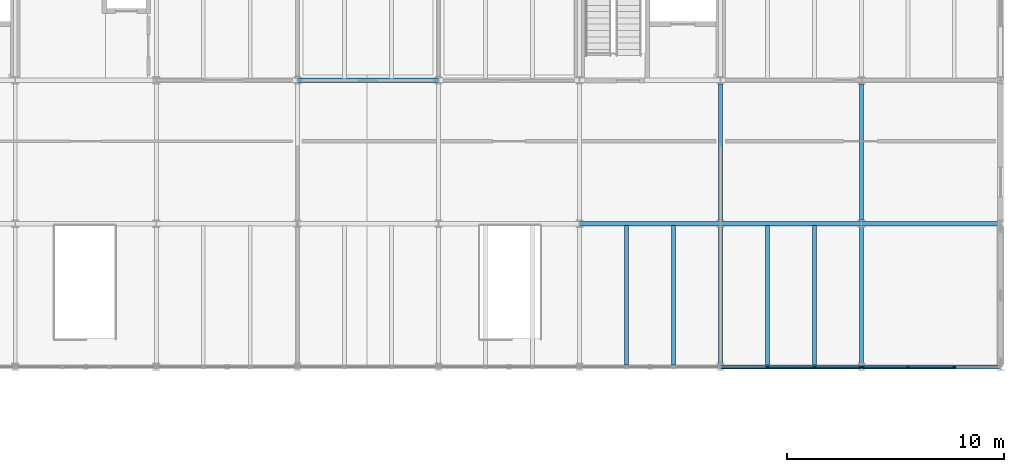
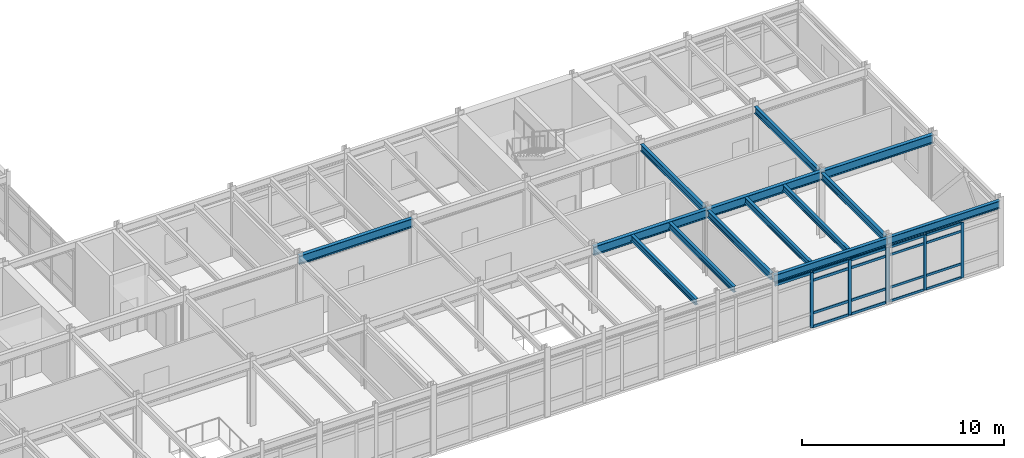
# One storey, part 81 of 144: 23 members, 14 beams, 2 elements without a shape of their own.
"""IFC4 building model written with IfcOpenShell, lengths in metres."""

from ifc_helpers import new_model, si_unit, direction, frame, origin, origin_2d, place, context, subcontext, project, spatial, rectangle, i_section, extrude, material, layer, layer_set, material_profile, profile_set, type_object, element, aggregate, save


model = new_model("IFC4")

# Units and contexts
model_context = context("Model", 3, precision=1e-05, world=origin(), true_north=direction((0.0, 1.0)))
body_context = subcontext(model_context, "Body", "Model", "MODEL_VIEW")
ifc_project = project(units=[si_unit("LENGTHUNIT", "METRE"), si_unit("AREAUNIT", "SQUARE_METRE"), si_unit("VOLUMEUNIT", "CUBIC_METRE"), si_unit("PLANEANGLEUNIT", "RADIAN"), si_unit("MASSUNIT", "GRAM", prefix="KILO")], contexts=[model_context])

# Site, building, storey
site_placement = place(None, origin())
site = spatial("IfcSite", under=ifc_project, at=site_placement, CompositionType="ELEMENT")
building_placement = place(site_placement, origin())
building = spatial("IfcBuilding", under=site, at=building_placement, Name="Trelmorton Wharf Fire Station", CompositionType="ELEMENT")
storey_placement = place(building_placement, frame((0.0, 0.0, 5.39990234375)))
storey = spatial("IfcBuildingStorey", under=building, at=storey_placement, Name="L01", CompositionType="ELEMENT", Elevation=5.39990234375)

# Beams
ifc_material_1 = material(Name="Steel Grade 350", Category="steel")
ifc_material_profile_1 = material_profile(ifc_material_1, i_section(OverallWidth=0.177978515625, OverallDepth=0.406005859375, WebThickness=0.0078125, FlangeThickness=0.0126953125, FilletRadius=0.011474609375, at=origin_2d()), Name="410UB59.7")
ifc_profile_set_1 = profile_set([ifc_material_profile_1], Name="Steel Grade 350")
beam_type_1 = type_object("IfcBeamType", Name="BM_410UB60", PredefinedType="BEAM", material=ifc_profile_set_1)
for number, where, z_axis, x_axis, name in (
    (1, (149.5, 7.95947265625, 3.72705078125), (0.0, 1.0, 0.0), (-1.0, 0.0, 0.0), "BM-L01-0664"),
    (2, (149.5, 14.5595703125, 3.72705078125), (0.0, 1.0, 0.0), (-1.0, 0.0, 0.0), "BM-L01-0665"),
    (3, (156.0, 7.95947265625, 3.72705078125), (0.0, 1.0, 0.0), (-1.0, 0.0, 0.0), "BM-L01-0670"),
    (4, (156.0, 14.5595703125, 3.72705078125), (0.0, 1.0, 0.0), (-1.0, 0.0, 0.0), "BM-L01-0671"),
):
    element("IfcBeam", number, at=place(storey_placement, frame(where, z_axis=z_axis, x_axis=x_axis)), inside=storey, type_object=beam_type_1, Name=name, PredefinedType="BEAM", context=body_context, shape_type="SweptSolid", body=[
        extrude(i_section(OverallWidth=0.177978515625, OverallDepth=0.406005859375, WebThickness=0.0078125, FlangeThickness=0.0126953125, FilletRadius=0.011474609375, at=origin_2d()), origin(), (0.0, 0.0, 1.0), 6.281005859375),
    ])
ifc_material_profile_2 = material_profile(ifc_material_1, i_section(OverallWidth=0.208984375, OverallDepth=0.528076171875, WebThickness=0.009521484375, FlangeThickness=0.01318359375, FilletRadius=0.013916015625, at=origin_2d()), Name="530UB82.0")
ifc_profile_set_2 = profile_set([ifc_material_profile_2], Name="Steel Grade 350")
beam_type_2 = type_object("IfcBeamType", Name="BM_530UB82", PredefinedType="BEAM", material=ifc_profile_set_2)
for number, where, z_axis, x_axis, name in (
    (5, (143.005859375, 14.39990234375, 3.666015625), (1.0, 0.0, 0.0), (0.0, 1.0, 0.0), "BM-L01-0431"),
    (6, (149.505859375, 14.39990234375, 3.666015625), (1.0, 0.0, 0.0), (0.0, 1.0, 0.0), "BM-L01-0432"),
):
    element("IfcBeam", number, at=place(storey_placement, frame(where, z_axis=z_axis, x_axis=x_axis)), inside=storey, type_object=beam_type_2, Name=name, PredefinedType="BEAM", context=body_context, shape_type="SweptSolid", body=[
        extrude(i_section(OverallWidth=0.208984375, OverallDepth=0.528076171875, WebThickness=0.009521484375, FlangeThickness=0.01318359375, FilletRadius=0.013916015625, at=origin_2d()), origin(), (0.0, 0.0, 1.0), 6.48828125),
    ])
beam_1_placement = place(storey_placement, frame((156.005859375, 14.39990234375, 3.666015625), z_axis=(1.0, 0.0, 0.0), x_axis=(0.0, 1.0, 0.0)))
element("IfcBeam", 7, at=beam_1_placement, inside=storey, type_object=beam_type_2, Name="BM-L01-0433", PredefinedType="BEAM", context=body_context, shape_type="SweptSolid", body=[
    extrude(i_section(OverallWidth=0.208984375, OverallDepth=0.528076171875, WebThickness=0.009521484375, FlangeThickness=0.01318359375, FilletRadius=0.013916015625, at=origin_2d()), origin(), (0.0, 0.0, 1.0), 6.38818359375),
])
beam_2_placement = place(storey_placement, frame((130.005859375, 21.0, 3.666015625), z_axis=(1.0, 0.0, 0.0), x_axis=(0.0, 1.0, 0.0)))
element("IfcBeam", 8, at=beam_2_placement, inside=storey, type_object=beam_type_2, Name="BM-L01-0447", PredefinedType="BEAM", context=body_context, shape_type="SweptSolid", body=[
    extrude(i_section(OverallWidth=0.208984375, OverallDepth=0.528076171875, WebThickness=0.009521484375, FlangeThickness=0.01318359375, FilletRadius=0.013916015625, at=origin_2d()), origin(), (0.0, 0.0, 1.0), 6.48828125),
])

# Curtain wall, members
ifc_material_2 = material(Name="Anodised aluminium AW-6063", Category="aluminium")
ifc_layer_1 = layer(ifc_material_2, 0.159912109375)
ifc_layer_set_1 = layer_set([ifc_layer_1], Name="Anodised aluminium AW-6063")
curtain_wall_type_1 = type_object("IfcCurtainWallType", Name="CW_CHIC_A", PredefinedType="USERDEFINED", material=ifc_layer_set_1)
curtain_wall_1_placement = place(storey_placement, origin())
curtain_wall_1 = element("IfcCurtainWall", 9, at=curtain_wall_1_placement, inside=storey, type_object=curtain_wall_type_1, Name="CW-V5-L01-045", ObjectType="CHICAGO BAY CURTAIN WALL", PredefinedType="USERDEFINED")
ifc_material_profile_3 = material_profile(ifc_material_2, rectangle(XDim=0.06494140625, YDim=0.159912109375, at=origin_2d()), Name="ALU-65x160")
ifc_profile_set_3 = profile_set([ifc_material_profile_3], Name="Anodised aluminium AW-6063")
member_type_1 = type_object("IfcMemberType", Name="CWM_65x160", PredefinedType="MULLION", material=ifc_profile_set_3)
member_1_placement = place(storey_placement, frame((160.264892578125, 7.800048828125, 0.0), z_axis=(0.0, 0.0, 1.0), x_axis=(0.0, -1.0, 0.0)))
member_1 = element("IfcMember", 10, at=member_1_placement, type_object=member_type_1, Name="CW1 mullion 2", PredefinedType="MULLION", context=body_context, shape_type="SweptSolid", body=[
    extrude(rectangle(XDim=0.06494140625, YDim=0.159912109375, at=origin_2d()), origin(), (0.0, 0.0, 1.0), 3.320068359375),
])
member_2_placement = place(storey_placement, frame((158.135009765625, 7.800048828125, 0.0), z_axis=(0.0, 0.0, 1.0), x_axis=(0.0, -1.0, 0.0)))
member_2 = element("IfcMember", 11, at=member_2_placement, type_object=member_type_1, Name="CW1 mullion 3", PredefinedType="MULLION", context=body_context, shape_type="SweptSolid", body=[
    extrude(rectangle(XDim=0.06494140625, YDim=0.159912109375, at=origin_2d()), origin(), (0.0, 0.0, 1.0), 3.320068359375),
])
member_3_placement = place(storey_placement, frame((156.034912109375, 7.800048828125, 0.0), z_axis=(0.0, 0.0, 1.0), x_axis=(0.0, -1.0, 0.0)))
member_3 = element("IfcMember", 12, at=member_3_placement, type_object=member_type_1, Name="CW1 mullion 4", PredefinedType="MULLION", context=body_context, shape_type="SweptSolid", body=[
    extrude(rectangle(XDim=0.06494140625, YDim=0.159912109375, at=origin_2d()), origin(), (0.0, 0.0, 1.0), 3.320068359375),
])

ifc_layer_2 = layer(ifc_material_2, 0.175048828125)
ifc_layer_set_2 = layer_set([ifc_layer_2], Name="Anodised aluminium AW-6063")
curtain_wall_type_2 = type_object("IfcCurtainWallType", Name="CW_CHIC_B", PredefinedType="USERDEFINED", material=ifc_layer_set_2)
curtain_wall_2_placement = place(storey_placement, origin())
curtain_wall_2 = element("IfcCurtainWall", 13, at=curtain_wall_2_placement, inside=storey, type_object=curtain_wall_type_2, Name="CW-V5-L01-044", ObjectType="CHICAGO BAY CURTAIN WALL", PredefinedType="USERDEFINED")
ifc_material_profile_4 = material_profile(ifc_material_2, rectangle(XDim=0.074951171875, YDim=0.175048828125, at=origin_2d()), Name="ALU-75x175")
ifc_profile_set_4 = profile_set([ifc_material_profile_4], Name="Anodised aluminium AW-6063")
member_type_2 = type_object("IfcMemberType", Name="CWM_75x175", PredefinedType="MULLION", material=ifc_profile_set_4)
member_4_placement = place(storey_placement, frame((155.965087890625, 7.800048828125, 0.0), z_axis=(0.0, 0.0, 1.0), x_axis=(0.0, -1.0, 0.0)))
member_4 = element("IfcMember", 14, at=member_4_placement, type_object=member_type_2, Name="CW2 mullion 1", PredefinedType="MULLION", context=body_context, shape_type="SweptSolid", body=[
    extrude(rectangle(XDim=0.074951171875, YDim=0.175048828125, at=origin_2d()), origin(), (0.0, 0.0, 1.0), 3.320068359375),
])
member_5_placement = place(storey_placement, frame((153.831787109375, 7.800048828125, 0.0), z_axis=(0.0, 0.0, 1.0), x_axis=(0.0, -1.0, 0.0)))
member_5 = element("IfcMember", 15, at=member_5_placement, type_object=member_type_2, Name="CW2 mullion 2", PredefinedType="MULLION", context=body_context, shape_type="SweptSolid", body=[
    extrude(rectangle(XDim=0.074951171875, YDim=0.175048828125, at=origin_2d()), origin(), (0.0, 0.0, 1.0), 3.320068359375),
])
member_6_placement = place(storey_placement, frame((151.668212890625, 7.800048828125, 0.0), z_axis=(0.0, 0.0, 1.0), x_axis=(0.0, -1.0, 0.0)))
member_6 = element("IfcMember", 16, at=member_6_placement, type_object=member_type_2, Name="CW2 mullion 3", PredefinedType="MULLION", context=body_context, shape_type="SweptSolid", body=[
    extrude(rectangle(XDim=0.074951171875, YDim=0.175048828125, at=origin_2d()), origin(), (0.0, 0.0, 1.0), 3.320068359375),
])

# Member
ifc_material_profile_5 = material_profile(ifc_material_2, rectangle(XDim=0.06494140625, YDim=0.139892578125, at=origin_2d()), Name="ALU-65x140")
ifc_profile_set_5 = profile_set([ifc_material_profile_5], Name="Anodised aluminium AW-6063")
member_type_3 = type_object("IfcMemberType", Name="CWT_65x140", PredefinedType="USERDEFINED", material=ifc_profile_set_5)
member_7_placement = place(storey_placement, frame((160.235107421875, 7.800048828125, 0.030029296875), z_axis=(-1.0, 0.0, 0.0), x_axis=(0.0, -1.0, 0.0)))
member_7 = element("IfcMember", 17, at=member_7_placement, type_object=member_type_3, Name="CW1 transom 2.1", ObjectType="TRANSOM", PredefinedType="USERDEFINED", context=body_context, shape_type="SweptSolid", body=[
    extrude(rectangle(XDim=0.06494140625, YDim=0.139892578125, at=origin_2d()), origin(), (0.0, 0.0, 1.0), 2.070068359375),
])

member_8_placement = place(storey_placement, frame((160.235107421875, 7.800048828125, 0.85009765625), z_axis=(-1.0, 0.0, 0.0), x_axis=(0.0, -1.0, 0.0)))
member_8 = element("IfcMember", 18, at=member_8_placement, type_object=member_type_3, Name="CW1 transom 2.2", ObjectType="TRANSOM", PredefinedType="USERDEFINED", context=body_context, shape_type="SweptSolid", body=[
    extrude(rectangle(XDim=0.06494140625, YDim=0.139892578125, at=origin_2d()), origin(), (0.0, 0.0, 1.0), 2.070068359375),
])

member_9_placement = place(storey_placement, frame((160.235107421875, 7.800048828125, 2.820068359375), z_axis=(-1.0, 0.0, 0.0), x_axis=(0.0, -1.0, 0.0)))
member_9 = element("IfcMember", 19, at=member_9_placement, type_object=member_type_3, Name="CW1 transom 2.3", ObjectType="TRANSOM", PredefinedType="USERDEFINED", context=body_context, shape_type="SweptSolid", body=[
    extrude(rectangle(XDim=0.06494140625, YDim=0.139892578125, at=origin_2d()), origin(), (0.0, 0.0, 1.0), 2.070068359375),
])

member_10_placement = place(storey_placement, frame((160.235107421875, 7.800048828125, 3.2900390625), z_axis=(-1.0, 0.0, 0.0), x_axis=(0.0, -1.0, 0.0)))
member_10 = element("IfcMember", 20, at=member_10_placement, type_object=member_type_3, Name="CW1 transom 2.4", ObjectType="TRANSOM", PredefinedType="USERDEFINED", context=body_context, shape_type="SweptSolid", body=[
    extrude(rectangle(XDim=0.06494140625, YDim=0.139892578125, at=origin_2d()), origin(), (0.0, 0.0, 1.0), 2.070068359375),
])

member_11_placement = place(storey_placement, frame((158.10498046875, 7.800048828125, 0.030029296875), z_axis=(-1.0, 0.0, 0.0), x_axis=(0.0, -1.0, 0.0)))
member_11 = element("IfcMember", 21, at=member_11_placement, type_object=member_type_3, Name="CW1 transom 3.1", ObjectType="TRANSOM", PredefinedType="USERDEFINED", context=body_context, shape_type="SweptSolid", body=[
    extrude(rectangle(XDim=0.06494140625, YDim=0.139892578125, at=origin_2d()), origin(), (0.0, 0.0, 1.0), 2.0400390625),
])

member_12_placement = place(storey_placement, frame((158.10498046875, 7.800048828125, 0.85009765625), z_axis=(-1.0, 0.0, 0.0), x_axis=(0.0, -1.0, 0.0)))
member_12 = element("IfcMember", 22, at=member_12_placement, type_object=member_type_3, Name="CW1 transom 3.2", ObjectType="TRANSOM", PredefinedType="USERDEFINED", context=body_context, shape_type="SweptSolid", body=[
    extrude(rectangle(XDim=0.06494140625, YDim=0.139892578125, at=origin_2d()), origin(), (0.0, 0.0, 1.0), 2.0400390625),
])

member_13_placement = place(storey_placement, frame((158.10498046875, 7.800048828125, 2.820068359375), z_axis=(-1.0, 0.0, 0.0), x_axis=(0.0, -1.0, 0.0)))
member_13 = element("IfcMember", 23, at=member_13_placement, type_object=member_type_3, Name="CW1 transom 3.3", ObjectType="TRANSOM", PredefinedType="USERDEFINED", context=body_context, shape_type="SweptSolid", body=[
    extrude(rectangle(XDim=0.06494140625, YDim=0.139892578125, at=origin_2d()), origin(), (0.0, 0.0, 1.0), 2.0400390625),
])

member_14_placement = place(storey_placement, frame((158.10498046875, 7.800048828125, 3.2900390625), z_axis=(-1.0, 0.0, 0.0), x_axis=(0.0, -1.0, 0.0)))
member_14 = element("IfcMember", 24, at=member_14_placement, type_object=member_type_3, Name="CW1 transom 3.4", ObjectType="TRANSOM", PredefinedType="USERDEFINED", context=body_context, shape_type="SweptSolid", body=[
    extrude(rectangle(XDim=0.06494140625, YDim=0.139892578125, at=origin_2d()), origin(), (0.0, 0.0, 1.0), 2.0400390625),
])

aggregate(curtain_wall_1, [member_1, member_2, member_3, member_7, member_8, member_9, member_10, member_11, member_12, member_13, member_14])

ifc_material_profile_6 = material_profile(ifc_material_2, rectangle(XDim=0.074951171875, YDim=0.155029296875, at=origin_2d()), Name="ALU-75x155")
ifc_profile_set_6 = profile_set([ifc_material_profile_6], Name="Anodised aluminium AW-6063")
member_type_4 = type_object("IfcMemberType", Name="CWT_75x155", PredefinedType="USERDEFINED", material=ifc_profile_set_6)
member_15_placement = place(storey_placement, frame((155.93505859375, 7.800048828125, 0.030029296875), z_axis=(-1.0, 0.0, 0.0), x_axis=(0.0, -1.0, 0.0)))
member_15 = element("IfcMember", 25, at=member_15_placement, type_object=member_type_4, Name="CW2 transom 1.1", ObjectType="TRANSOM", PredefinedType="USERDEFINED", context=body_context, shape_type="SweptSolid", body=[
    extrude(rectangle(XDim=0.074951171875, YDim=0.155029296875, at=origin_2d()), origin(), (0.0, 0.0, 1.0), 2.073486328125),
])

member_16_placement = place(storey_placement, frame((155.93505859375, 7.800048828125, 0.85009765625), z_axis=(-1.0, 0.0, 0.0), x_axis=(0.0, -1.0, 0.0)))
member_16 = element("IfcMember", 26, at=member_16_placement, type_object=member_type_4, Name="CW2 transom 1.2", ObjectType="TRANSOM", PredefinedType="USERDEFINED", context=body_context, shape_type="SweptSolid", body=[
    extrude(rectangle(XDim=0.074951171875, YDim=0.155029296875, at=origin_2d()), origin(), (0.0, 0.0, 1.0), 2.073486328125),
])

member_17_placement = place(storey_placement, frame((155.93505859375, 7.800048828125, 2.820068359375), z_axis=(-1.0, 0.0, 0.0), x_axis=(0.0, -1.0, 0.0)))
member_17 = element("IfcMember", 27, at=member_17_placement, type_object=member_type_4, Name="CW2 transom 1.3", ObjectType="TRANSOM", PredefinedType="USERDEFINED", context=body_context, shape_type="SweptSolid", body=[
    extrude(rectangle(XDim=0.074951171875, YDim=0.155029296875, at=origin_2d()), origin(), (0.0, 0.0, 1.0), 2.073486328125),
])

member_18_placement = place(storey_placement, frame((155.93505859375, 7.800048828125, 3.2900390625), z_axis=(-1.0, 0.0, 0.0), x_axis=(0.0, -1.0, 0.0)))
member_18 = element("IfcMember", 28, at=member_18_placement, type_object=member_type_4, Name="CW2 transom 1.4", ObjectType="TRANSOM", PredefinedType="USERDEFINED", context=body_context, shape_type="SweptSolid", body=[
    extrude(rectangle(XDim=0.074951171875, YDim=0.155029296875, at=origin_2d()), origin(), (0.0, 0.0, 1.0), 2.073486328125),
])

member_19_placement = place(storey_placement, frame((153.8017578125, 7.800048828125, 0.030029296875), z_axis=(-1.0, 0.0, 0.0), x_axis=(0.0, -1.0, 0.0)))
member_19 = element("IfcMember", 29, at=member_19_placement, type_object=member_type_4, Name="CW2 transom 2.1", ObjectType="TRANSOM", PredefinedType="USERDEFINED", context=body_context, shape_type="SweptSolid", body=[
    extrude(rectangle(XDim=0.074951171875, YDim=0.155029296875, at=origin_2d()), origin(), (0.0, 0.0, 1.0), 2.103515625),
])

member_20_placement = place(storey_placement, frame((153.8017578125, 7.800048828125, 0.85009765625), z_axis=(-1.0, 0.0, 0.0), x_axis=(0.0, -1.0, 0.0)))
member_20 = element("IfcMember", 30, at=member_20_placement, type_object=member_type_4, Name="CW2 transom 2.2", ObjectType="TRANSOM", PredefinedType="USERDEFINED", context=body_context, shape_type="SweptSolid", body=[
    extrude(rectangle(XDim=0.074951171875, YDim=0.155029296875, at=origin_2d()), origin(), (0.0, 0.0, 1.0), 2.103515625),
])

member_21_placement = place(storey_placement, frame((153.8017578125, 7.800048828125, 2.820068359375), z_axis=(-1.0, 0.0, 0.0), x_axis=(0.0, -1.0, 0.0)))
member_21 = element("IfcMember", 31, at=member_21_placement, type_object=member_type_4, Name="CW2 transom 2.3", ObjectType="TRANSOM", PredefinedType="USERDEFINED", context=body_context, shape_type="SweptSolid", body=[
    extrude(rectangle(XDim=0.074951171875, YDim=0.155029296875, at=origin_2d()), origin(), (0.0, 0.0, 1.0), 2.103515625),
])

member_22_placement = place(storey_placement, frame((153.8017578125, 7.800048828125, 3.2900390625), z_axis=(-1.0, 0.0, 0.0), x_axis=(0.0, -1.0, 0.0)))
member_22 = element("IfcMember", 32, at=member_22_placement, type_object=member_type_4, Name="CW2 transom 2.4", ObjectType="TRANSOM", PredefinedType="USERDEFINED", context=body_context, shape_type="SweptSolid", body=[
    extrude(rectangle(XDim=0.074951171875, YDim=0.155029296875, at=origin_2d()), origin(), (0.0, 0.0, 1.0), 2.103515625),
])

member_23_placement = place(storey_placement, frame((151.638427734375, 7.800048828125, 3.2900390625), z_axis=(-1.0, 0.0, 0.0), x_axis=(0.0, -1.0, 0.0)))
member_23 = element("IfcMember", 33, at=member_23_placement, type_object=member_type_4, Name="CW2 transom 3.4", ObjectType="TRANSOM", PredefinedType="USERDEFINED", context=body_context, shape_type="SweptSolid", body=[
    extrude(rectangle(XDim=0.074951171875, YDim=0.155029296875, at=origin_2d()), origin(), (0.0, 0.0, 1.0), 2.073486328125),
])

aggregate(curtain_wall_2, [member_4, member_5, member_6, member_15, member_16, member_17, member_18, member_19, member_20, member_21, member_22, member_23])

# Beams
ifc_material_profile_7 = material_profile(ifc_material_1, i_section(OverallWidth=0.172119140625, OverallDepth=0.35888671875, WebThickness=0.008056640625, FlangeThickness=0.012939453125, FilletRadius=0.011474609375, at=origin_2d()), Name="360UB56.7")
ifc_profile_set_7 = profile_set([ifc_material_profile_7], Name="Steel Grade 350")
beam_type_3 = type_object("IfcBeamType", Name="JS_360UB57", PredefinedType="JOIST", material=ifc_profile_set_7)
for number, where, z_axis, x_axis, name in (
    (34, (145.166748046875, 7.889892578125, 3.75048828125), (0.0, 1.0, 0.0), (-1.0, 0.0, 0.0), "JS-L01-0201"),
    (35, (147.333251953125, 7.889892578125, 3.75048828125), (0.0, 1.0, 0.0), (-1.0, 0.0, 0.0), "JS-L01-0202"),
    (36, (151.666748046875, 7.889892578125, 3.75048828125), (0.0, 1.0, 0.0), (-1.0, 0.0, 0.0), "JS-L01-0207"),
    (37, (153.833251953125, 7.889892578125, 3.75048828125), (0.0, 1.0, 0.0), (-1.0, 0.0, 0.0), "JS-L01-0208"),
):
    element("IfcBeam", number, at=place(storey_placement, frame(where, z_axis=z_axis, x_axis=x_axis)), inside=storey, type_object=beam_type_3, Name=name, PredefinedType="JOIST", context=body_context, shape_type="SweptSolid", body=[
        extrude(i_section(OverallWidth=0.172119140625, OverallDepth=0.35888671875, WebThickness=0.008056640625, FlangeThickness=0.012939453125, FilletRadius=0.011474609375, at=origin_2d()), origin(), (0.0, 0.0, 1.0), 6.420166015625),
    ])
ifc_material_profile_8 = material_profile(ifc_material_1, i_section(OverallWidth=0.18994140625, OverallDepth=0.45703125, WebThickness=0.009033203125, FlangeThickness=0.014404296875, FilletRadius=0.011474609375, at=origin_2d()), Name="460UB74.6")
ifc_profile_set_8 = profile_set([ifc_material_profile_8], Name="Steel Grade 350")
beam_type_4 = type_object("IfcBeamType", Name="SP_460UB75", PredefinedType="SPANDREL", material=ifc_profile_set_8)
beam_3_placement = place(storey_placement, frame((149.505859375, 7.800048828125, 3.70166015625), z_axis=(1.0, 0.0, 0.0), x_axis=(0.0, 1.0, 0.0)))
element("IfcBeam", 38, at=beam_3_placement, inside=storey, type_object=beam_type_4, Name="BM-L01-0421", PredefinedType="SPANDREL", context=body_context, shape_type="SweptSolid", body=[
    extrude(i_section(OverallWidth=0.18994140625, OverallDepth=0.45703125, WebThickness=0.009033203125, FlangeThickness=0.014404296875, FilletRadius=0.011474609375, at=origin_2d()), origin(), (0.0, 0.0, 1.0), 6.48828125),
])
beam_4_placement = place(storey_placement, frame((156.005859375, 7.800048828125, 3.70166015625), z_axis=(1.0, 0.0, 0.0), x_axis=(0.0, 1.0, 0.0)))
element("IfcBeam", 39, at=beam_4_placement, inside=storey, type_object=beam_type_4, Name="BM-L01-0422", PredefinedType="SPANDREL", context=body_context, shape_type="SweptSolid", body=[
    extrude(i_section(OverallWidth=0.18994140625, OverallDepth=0.45703125, WebThickness=0.009033203125, FlangeThickness=0.014404296875, FilletRadius=0.011474609375, at=origin_2d()), origin(), (0.0, 0.0, 1.0), 6.38818359375),
])

save(model, "model.ifc")
